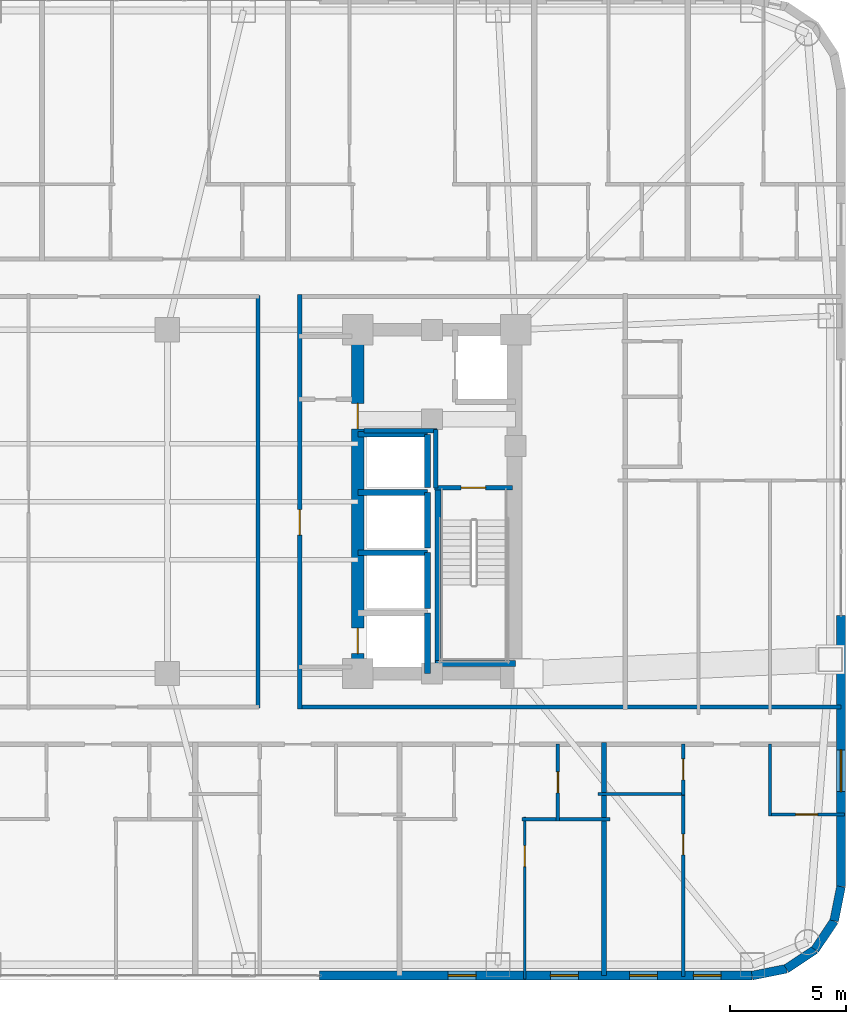
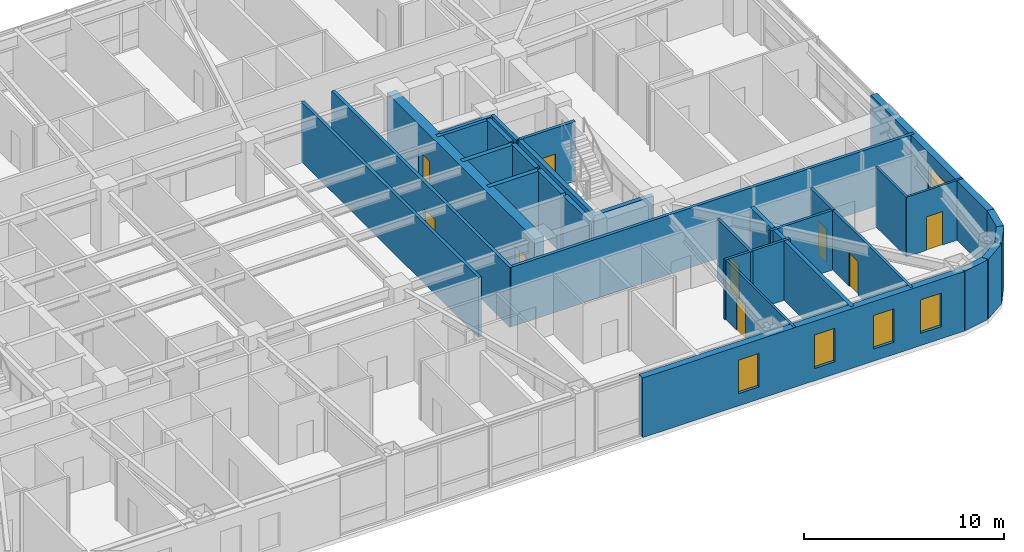
# One storey, part 23 of 28: 31 walls, 9 doors, 5 windows, 14 openings.
"""IFC4 building model written with IfcOpenShell, lengths in metres."""

from ifc_helpers import new_model, si_unit, direction, frame, frame_2d, origin, place, context, subcontext, project, spatial, rectangle, extrude, material, layer, layer_set, type_object, element, fill, save


model = new_model("IFC4")

# Units and contexts
model_context = context("Model", 3, precision=1e-05, world=origin(), true_north=direction((0.0, 1.0)))
body_context = subcontext(model_context, "Body", "Model", "MODEL_VIEW")
ifc_project = project(units=[si_unit("LENGTHUNIT", "METRE"), si_unit("AREAUNIT", "SQUARE_METRE"), si_unit("VOLUMEUNIT", "CUBIC_METRE"), si_unit("PLANEANGLEUNIT", "RADIAN"), si_unit("MASSUNIT", "GRAM", prefix="KILO")], contexts=[model_context])

# Site, building, storey
site_placement = place(None, origin())
site = spatial("IfcSite", under=ifc_project, at=site_placement, CompositionType="ELEMENT")
building_placement = place(site_placement, origin())
building = spatial("IfcBuilding", under=site, at=building_placement, Name="Voryun Gate Residences", CompositionType="ELEMENT")
storey_placement = place(building_placement, frame((0.0, 0.0, 117.0)))
storey = spatial("IfcBuildingStorey", under=building, at=storey_placement, Name="L28", CompositionType="ELEMENT", Elevation=117.0)

# Wall, openings, doors
ifc_material_1 = material(Name="Concrete C60/75", Category="concrete")
ifc_layer_1 = layer(ifc_material_1, 0.550048828125, Name="CW_CORE_550")
ifc_layer_set_1 = layer_set([ifc_layer_1], Name="Concrete C60/75")
wall_type_1 = type_object("IfcWallType", Name="CW_CORE_550", PredefinedType="SHEAR", material=ifc_layer_set_1)
wall_1_placement = place(storey_placement, frame((12.39990234375, -7.39990234375, 0.0), z_axis=(0.0, 0.0, 1.0), x_axis=(0.0, 1.0, 0.0)))
wall_1 = element("IfcWall", 1, at=wall_1_placement, inside=storey, type_object=wall_type_1, Name="L28 Core shear wall CW-L28-EW", PredefinedType="SHEAR", context=body_context, shape_type="SweptSolid", body=[
    extrude(rectangle(XDim=14.7998046875, YDim=0.550048828125, at=frame_2d((7.39990234375, 0.0))), origin(), (0.0, 0.0, 1.0), 3.64990234375),
])
opening_1_placement = place(wall_1_placement, frame((0.85009765625, 0.0, 0.0)))
opening_1 = element("IfcOpeningElement", 2, at=opening_1_placement, cuts=wall_1, Name="Opening LD2", PredefinedType="OPENING", context=body_context, shape_type="SweptSolid", body=[
    extrude(rectangle(XDim=1.10009765625, YDim=2.050048828125, at=frame_2d((0.550048828125, 1.02490234375))), frame((0.0, 0.284912109375, 0.0), z_axis=(0.0, -1.0, 0.0), x_axis=(1.0, 0.0, 0.0)), (0.0, 0.0, 1.0), 0.570068359375),
])
opening_2_placement = place(wall_1_placement, frame((10.530029296875, 0.0, 0.0)))
opening_2 = element("IfcOpeningElement", 3, at=opening_2_placement, cuts=wall_1, Name="Opening D-FD60-2", PredefinedType="OPENING", context=body_context, shape_type="SweptSolid", body=[
    extrude(rectangle(XDim=1.10009765625, YDim=2.050048828125, at=frame_2d((0.550048828125, 1.02490234375))), frame((0.0, 0.284912109375, 0.0), z_axis=(0.0, -1.0, 0.0), x_axis=(1.0, 0.0, 0.0)), (0.0, 0.0, 1.0), 0.570068359375),
])
ifc_material_2 = material(Name="Painted steel fire door", Category="steel")
door_type_1 = type_object("IfcDoorType", Name="DR_FD60_FFLOB_1100", OperationType="NOTDEFINED", PredefinedType="DOOR", material=ifc_material_2)
door_1_placement = place(opening_2_placement, origin())
door_1 = element("IfcDoor", 4, at=door_1_placement, inside=storey, type_object=door_type_1, Name="Door DR-L28-CLOB-E", OperationType="SINGLE_SWING_RIGHT", OverallHeight=2.050048828125, OverallWidth=1.10009765625, PredefinedType="DOOR", context=body_context, shape_type="SweptSolid", body=[
    extrude(rectangle(XDim=1.10009765625, YDim=2.050048828125, at=frame_2d((0.550048828125, 1.02490234375))), frame((0.0, 0.02490234375, 0.0), z_axis=(0.0, -1.0, 0.0), x_axis=(1.0, 0.0, 0.0)), (0.0, 0.0, 1.0), 0.050048828125),
])
fill(opening_2, door_1)
ifc_material_3 = material(Name="Anodised aluminium", Category="aluminium")
door_type_2 = type_object("IfcDoorType", Name="DR_LD_PASS_1100", OperationType="NOTDEFINED", PredefinedType="DOOR", material=ifc_material_3)
door_2_placement = place(opening_1_placement, origin())
door_2 = element("IfcDoor", 5, at=door_2_placement, inside=storey, type_object=door_type_2, Name="Lift EL-P3 sliding landing door L28", OperationType="SLIDING_TO_LEFT", OverallHeight=2.050048828125, OverallWidth=1.10009765625, PredefinedType="DOOR", context=body_context, shape_type="SweptSolid", body=[
    extrude(rectangle(XDim=1.10009765625, YDim=2.050048828125, at=frame_2d((0.550048828125, 1.02490234375))), frame((0.0, 0.02490234375, 0.0), z_axis=(0.0, -1.0, 0.0), x_axis=(1.0, 0.0, 0.0)), (0.0, 0.0, 1.0), 0.050048828125),
])
fill(opening_1, door_2)

# Wall, opening, door
ifc_material_4 = material(Name="Gypsum acoustic fireboard")
ifc_layer_2 = layer(ifc_material_4, 0.179931640625, Name="W_CORR_RATED_180")
ifc_layer_set_2 = layer_set([ifc_layer_2], Name="Gypsum acoustic fireboard")
wall_type_2 = type_object("IfcWallType", Name="W_CORR_RATED_180", PredefinedType="PARTITIONING", material=ifc_layer_set_2)
wall_2_placement = place(storey_placement, frame((15.699951171875, 0.60009765625, 0.0), z_axis=(0.0, 0.0, 1.0), x_axis=(1.0, 0.0, 0.0)))
wall_2 = element("IfcWall", 6, at=wall_2_placement, inside=storey, type_object=wall_type_2, Name="Partition wall WP-L28-STV-E", PredefinedType="PARTITIONING", context=body_context, shape_type="SweptSolid", body=[
    extrude(rectangle(XDim=3.360107421875, YDim=0.179931640625, at=frame_2d((1.68017578125, 0.0))), origin(), (0.0, 0.0, 1.0), 3.64990234375),
])
opening_3_placement = place(wall_2_placement, frame((1.155029296875, 0.0, 0.0)))
opening_3 = element("IfcOpeningElement", 7, at=opening_3_placement, cuts=wall_2, Name="Opening D-FD60-1", PredefinedType="OPENING", context=body_context, shape_type="SweptSolid", body=[
    extrude(rectangle(XDim=1.050048828125, YDim=2.050048828125, at=frame_2d((0.52490234375, 1.02490234375))), frame((0.0, 0.099853515625, 0.0), z_axis=(0.0, -1.0, 0.0), x_axis=(1.0, 0.0, 0.0)), (0.0, 0.0, 1.0), 0.199951171875),
])
ifc_material_5 = material(Name="Painted steel fire door", Category="steel")
door_type_3 = type_object("IfcDoorType", Name="DR_FD60_STAIR_1050", OperationType="NOTDEFINED", PredefinedType="DOOR", material=ifc_material_5)
door_3_placement = place(opening_3_placement, origin())
door_3 = element("IfcDoor", 8, at=door_3_placement, inside=storey, type_object=door_type_3, Name="Door DR-L28-ST-E", OperationType="SINGLE_SWING_RIGHT", OverallHeight=2.050048828125, OverallWidth=1.050048828125, PredefinedType="DOOR", context=body_context, shape_type="SweptSolid", body=[
    extrude(rectangle(XDim=1.050048828125, YDim=2.050048828125, at=frame_2d((0.52490234375, 1.02490234375))), frame((0.0, 0.02490234375, 0.0), z_axis=(0.0, -1.0, 0.0), x_axis=(1.0, 0.0, 0.0)), (0.0, 0.0, 1.0), 0.050048828125),
])
fill(opening_3, door_3)

wall_3_placement = place(storey_placement, frame((9.89990234375, -8.929931640625, 0.0), z_axis=(0.0, 0.0, 1.0), x_axis=(0.0, 1.0, 0.0)))
wall_3 = element("IfcWall", 9, at=wall_3_placement, inside=storey, type_object=wall_type_2, Name="Partition wall WP-L28-PLBE-FULL", PredefinedType="PARTITIONING", context=body_context, shape_type="SweptSolid", body=[
    extrude(rectangle(XDim=17.85986328125, YDim=0.179931640625, at=frame_2d((8.929931640625, 0.0))), origin(), (0.0, 0.0, 1.0), 3.64990234375),
])
opening_4_placement = place(wall_3_placement, frame((7.487060546875, 0.0, 0.0)))
opening_4 = element("IfcOpeningElement", 10, at=opening_4_placement, cuts=wall_3, Name="Opening D-FD60-2", PredefinedType="OPENING", context=body_context, shape_type="SweptSolid", body=[
    extrude(rectangle(XDim=1.10009765625, YDim=2.050048828125, at=frame_2d((0.550048828125, 1.02490234375))), frame((0.0, 0.099853515625, 0.0), z_axis=(0.0, -1.0, 0.0), x_axis=(1.0, 0.0, 0.0)), (0.0, 0.0, 1.0), 0.199951171875),
])
door_4_placement = place(opening_4_placement, origin())
door_4 = element("IfcDoor", 11, at=door_4_placement, inside=storey, type_object=door_type_1, Name="Door DR-L28-PLBE-COR", OperationType="SINGLE_SWING_RIGHT", OverallHeight=2.050048828125, OverallWidth=1.10009765625, PredefinedType="DOOR", context=body_context, shape_type="SweptSolid", body=[
    extrude(rectangle(XDim=1.10009765625, YDim=2.050048828125, at=frame_2d((0.550048828125, 1.02490234375))), frame((0.0, 0.02490234375, 0.0), z_axis=(0.0, -1.0, 0.0), x_axis=(1.0, 0.0, 0.0)), (0.0, 0.0, 1.0), 0.050048828125),
])
fill(opening_4, door_4)

# Walls
wall_4_placement = place(storey_placement, frame((9.8798828125, -8.840087890625, 0.0), z_axis=(0.0, 0.0, 1.0), x_axis=(1.0, 0.0, 0.0)))
element("IfcWall", 12, at=wall_4_placement, inside=storey, type_object=wall_type_2, Name="Partition wall WP-L28-CWING-ES", PredefinedType="PARTITIONING", context=body_context, shape_type="SweptSolid", body=[
    extrude(rectangle(XDim=23.330078125, YDim=0.179931640625, at=frame_2d((11.6650390625, 0.0))), origin(), (0.0, 0.0, 1.0), 3.64990234375),
])
wall_5_placement = place(storey_placement, frame((8.10009765625, -8.8798828125, 0.0), z_axis=(0.0, 0.0, 1.0), x_axis=(0.0, 1.0, 0.0)))
element("IfcWall", 13, at=wall_5_placement, inside=storey, type_object=wall_type_2, Name="Partition wall WP-L28-Z1E", PredefinedType="PARTITIONING", context=body_context, shape_type="SweptSolid", body=[
    extrude(rectangle(XDim=17.759765625, YDim=0.179931640625, at=frame_2d((8.8798828125, 0.0))), origin(), (0.0, 0.0, 1.0), 3.64990234375),
])

# Wall, openings, windows
ifc_material_6 = material(Name="Granite masonry", Category="masonry")
ifc_layer_3 = layer(ifc_material_6, 0.3798828125, Name="W_EXT_GRANITE_380")
ifc_layer_set_3 = layer_set([ifc_layer_3], Name="Granite masonry")
wall_type_3 = type_object("IfcWallType", Name="W_EXT_GRANITE_380", PredefinedType="ELEMENTEDWALL", material=ifc_layer_set_3)
wall_6_placement = place(storey_placement, frame((29.38134765625, -20.409912109375, 0.0), z_axis=(0.0, 0.0, 1.0), x_axis=(-1.0, 0.0, 0.0)))
wall_6 = element("IfcWall", 14, at=wall_6_placement, inside=storey, type_object=wall_type_3, Name="Exterior wall WEXT-L28-01A", PredefinedType="ELEMENTEDWALL", context=body_context, shape_type="SweptSolid", body=[
    extrude(rectangle(XDim=18.619384765625, YDim=0.3798828125, at=frame_2d((9.3095703125, 0.0))), origin(), (0.0, 0.0, 1.0), 3.64990234375),
])
opening_5_placement = place(wall_6_placement, frame((11.88623046875, 0.0, 0.75)))
opening_5 = element("IfcOpeningElement", 15, at=opening_5_placement, cuts=wall_6, Name="Opening WN6", PredefinedType="OPENING", context=body_context, shape_type="SweptSolid", body=[
    extrude(rectangle(XDim=1.199951171875, YDim=2.050048828125, at=frame_2d((0.60009765625, 1.02490234375))), frame((0.0, 0.199951171875, 0.0), z_axis=(0.0, -1.0, 0.0), x_axis=(1.0, 0.0, 0.0)), (0.0, 0.0, 1.0), 0.39990234375),
])
opening_6_placement = place(wall_6_placement, frame((7.486328125, 0.0, 0.75)))
opening_6 = element("IfcOpeningElement", 16, at=opening_6_placement, cuts=wall_6, Name="Opening WN6", PredefinedType="OPENING", context=body_context, shape_type="SweptSolid", body=[
    extrude(rectangle(XDim=1.199951171875, YDim=2.050048828125, at=frame_2d((0.60009765625, 1.02490234375))), frame((0.0, 0.199951171875, 0.0), z_axis=(0.0, -1.0, 0.0), x_axis=(1.0, 0.0, 0.0)), (0.0, 0.0, 1.0), 0.39990234375),
])
opening_7_placement = place(wall_6_placement, frame((4.0751953125, 0.0, 0.75)))
opening_7 = element("IfcOpeningElement", 17, at=opening_7_placement, cuts=wall_6, Name="Opening WN6", PredefinedType="OPENING", context=body_context, shape_type="SweptSolid", body=[
    extrude(rectangle(XDim=1.199951171875, YDim=2.050048828125, at=frame_2d((0.60009765625, 1.02490234375))), frame((0.0, 0.199951171875, 0.0), z_axis=(0.0, -1.0, 0.0), x_axis=(1.0, 0.0, 0.0)), (0.0, 0.0, 1.0), 0.39990234375),
])
opening_8_placement = place(wall_6_placement, frame((1.32958984375, 0.0, 0.75)))
opening_8 = element("IfcOpeningElement", 18, at=opening_8_placement, cuts=wall_6, Name="Opening WN6", PredefinedType="OPENING", context=body_context, shape_type="SweptSolid", body=[
    extrude(rectangle(XDim=1.199951171875, YDim=2.050048828125, at=frame_2d((0.60009765625, 1.02490234375))), frame((0.0, 0.199951171875, 0.0), z_axis=(0.0, -1.0, 0.0), x_axis=(1.0, 0.0, 0.0)), (0.0, 0.0, 1.0), 0.39990234375),
])
ifc_material_7 = material(Name="Laminated low-E glass", Category="glass")
window_type_1 = type_object("IfcWindowType", Name="WN_POD_SLOT_1200", PartitioningType="SINGLE_PANEL", PredefinedType="WINDOW", material=ifc_material_7)
window_1_placement = place(opening_5_placement, origin())
window_1 = element("IfcWindow", 19, at=window_1_placement, inside=storey, type_object=window_type_1, Name="Window WN-L28-DWFIX-15", OverallHeight=2.050048828125, OverallWidth=1.199951171875, PartitioningType="SINGLE_PANEL", PredefinedType="WINDOW", context=body_context, shape_type="SweptSolid", body=[
    extrude(rectangle(XDim=1.199951171875, YDim=2.050048828125, at=frame_2d((0.60009765625, 1.02490234375))), frame((0.0, 0.030029296875, 0.0), z_axis=(0.0, -1.0, 0.0), x_axis=(1.0, 0.0, 0.0)), (0.0, 0.0, 1.0), 0.06005859375),
])
fill(opening_5, window_1)
window_2_placement = place(opening_6_placement, origin())
window_2 = element("IfcWindow", 20, at=window_2_placement, inside=storey, type_object=window_type_1, Name="Window WN-L28-DWFIX-16", OverallHeight=2.050048828125, OverallWidth=1.199951171875, PartitioningType="SINGLE_PANEL", PredefinedType="WINDOW", context=body_context, shape_type="SweptSolid", body=[
    extrude(rectangle(XDim=1.199951171875, YDim=2.050048828125, at=frame_2d((0.60009765625, 1.02490234375))), frame((0.0, 0.030029296875, 0.0), z_axis=(0.0, -1.0, 0.0), x_axis=(1.0, 0.0, 0.0)), (0.0, 0.0, 1.0), 0.06005859375),
])
fill(opening_6, window_2)
window_3_placement = place(opening_7_placement, origin())
window_3 = element("IfcWindow", 21, at=window_3_placement, inside=storey, type_object=window_type_1, Name="Window WN-L28-DWFIX-17", OverallHeight=2.050048828125, OverallWidth=1.199951171875, PartitioningType="SINGLE_PANEL", PredefinedType="WINDOW", context=body_context, shape_type="SweptSolid", body=[
    extrude(rectangle(XDim=1.199951171875, YDim=2.050048828125, at=frame_2d((0.60009765625, 1.02490234375))), frame((0.0, 0.030029296875, 0.0), z_axis=(0.0, -1.0, 0.0), x_axis=(1.0, 0.0, 0.0)), (0.0, 0.0, 1.0), 0.06005859375),
])
fill(opening_7, window_3)
window_4_placement = place(opening_8_placement, origin())
window_4 = element("IfcWindow", 22, at=window_4_placement, inside=storey, type_object=window_type_1, Name="Window WN-L28-DWFIX-18", OverallHeight=2.050048828125, OverallWidth=1.199951171875, PartitioningType="SINGLE_PANEL", PredefinedType="WINDOW", context=body_context, shape_type="SweptSolid", body=[
    extrude(rectangle(XDim=1.199951171875, YDim=2.050048828125, at=frame_2d((0.60009765625, 1.02490234375))), frame((0.0, 0.030029296875, 0.0), z_axis=(0.0, -1.0, 0.0), x_axis=(1.0, 0.0, 0.0)), (0.0, 0.0, 1.0), 0.06005859375),
])
fill(opening_8, window_4)

# Wall, opening, window
wall_7_placement = place(storey_placement, frame((33.2099609375, -4.89794921875, 0.0), z_axis=(0.0, 0.0, 1.0), x_axis=(0.0, -1.0, 0.0)))
wall_7 = element("IfcWall", 23, at=wall_7_placement, inside=storey, type_object=wall_type_3, Name="Exterior wall WEXT-L28-16B", PredefinedType="ELEMENTEDWALL", context=body_context, shape_type="SweptSolid", body=[
    extrude(rectangle(XDim=11.683349609375, YDim=0.3798828125, at=frame_2d((5.841796875, 0.0))), origin(), (0.0, 0.0, 1.0), 3.64990234375),
])
opening_9_placement = place(wall_7_placement, frame((5.79150390625, 0.0, 0.75)))
opening_9 = element("IfcOpeningElement", 24, at=opening_9_placement, cuts=wall_7, Name="Opening WN1", PredefinedType="OPENING", context=body_context, shape_type="SweptSolid", body=[
    extrude(rectangle(XDim=1.800048828125, YDim=2.10009765625, at=frame_2d((0.89990234375, 1.050048828125))), frame((0.0, 0.199951171875, 0.0), z_axis=(0.0, -1.0, 0.0), x_axis=(1.0, 0.0, 0.0)), (0.0, 0.0, 1.0), 0.39990234375),
])
ifc_material_8 = material(Name="Laminated low-E glass", Category="glass")
window_type_2 = type_object("IfcWindowType", Name="WN_RES_PUNCH_1800", PartitioningType="SINGLE_PANEL", PredefinedType="WINDOW", material=ifc_material_8)
window_5_placement = place(opening_9_placement, origin())
window_5 = element("IfcWindow", 25, at=window_5_placement, inside=storey, type_object=window_type_2, Name="Window WN-WEXT-L28-16B-01", OverallHeight=2.10009765625, OverallWidth=1.800048828125, PartitioningType="SINGLE_PANEL", PredefinedType="WINDOW", context=body_context, shape_type="SweptSolid", body=[
    extrude(rectangle(XDim=1.800048828125, YDim=2.10009765625, at=frame_2d((0.89990234375, 1.050048828125))), frame((0.0, 0.030029296875, 0.0), z_axis=(0.0, -1.0, 0.0), x_axis=(1.0, 0.0, 0.0)), (0.0, 0.0, 1.0), 0.06005859375),
])
fill(opening_9, window_5)

# Walls
wall_8_placement = place(storey_placement, frame((33.2099609375, -16.581298828125, 0.0), z_axis=(0.0, 0.0, 1.0), x_axis=(-0.195086038585, -0.980786132421, 0.0)))
element("IfcWall", 26, at=wall_8_placement, inside=storey, type_object=wall_type_3, Name="Exterior wall WEXT-L28-17", PredefinedType="ELEMENTEDWALL", context=body_context, shape_type="SweptSolid", body=[
    extrude(rectangle(XDim=1.504150390625, YDim=0.3798828125, at=frame_2d((0.751953125, 0.0))), origin(), (0.0, 0.0, 1.0), 3.64990234375),
])
wall_9_placement = place(storey_placement, frame((32.91650390625, -18.056640625, 0.0), z_axis=(0.0, 0.0, 1.0), x_axis=(-0.555610286119, -0.831442848281, 0.0)))
element("IfcWall", 27, at=wall_9_placement, inside=storey, type_object=wall_type_3, Name="Exterior wall WEXT-L28-18", PredefinedType="ELEMENTEDWALL", context=body_context, shape_type="SweptSolid", body=[
    extrude(rectangle(XDim=1.485107421875, YDim=0.3798828125, at=frame_2d((0.74267578125, 0.0))), origin(), (0.0, 0.0, 1.0), 3.64990234375),
])
wall_10_placement = place(storey_placement, frame((32.09130859375, -19.29150390625, 0.0), z_axis=(0.0, 0.0, 1.0), x_axis=(-0.831468045563, -0.555572577804, 0.0)))
element("IfcWall", 28, at=wall_10_placement, inside=storey, type_object=wall_type_3, Name="Exterior wall WEXT-L28-19", PredefinedType="ELEMENTEDWALL", context=body_context, shape_type="SweptSolid", body=[
    extrude(rectangle(XDim=1.48486328125, YDim=0.3798828125, at=frame_2d((0.742431640625, 0.0))), origin(), (0.0, 0.0, 1.0), 3.64990234375),
])
wall_11_placement = place(storey_placement, frame((30.856689453125, -20.116455078125, 0.0), z_axis=(0.0, 0.0, 1.0), x_axis=(-0.980786132421, -0.195086038585, 0.0)))
element("IfcWall", 29, at=wall_11_placement, inside=storey, type_object=wall_type_3, Name="Exterior wall WEXT-L28-20", PredefinedType="ELEMENTEDWALL", context=body_context, shape_type="SweptSolid", body=[
    extrude(rectangle(XDim=1.504150390625, YDim=0.3798828125, at=frame_2d((0.751953125, 0.0))), origin(), (0.0, 0.0, 1.0), 3.64990234375),
])
ifc_material_9 = material(Name="Concrete C40/50", Category="concrete")
ifc_layer_4 = layer(ifc_material_9, 0.199951171875, Name="W_FF_LOBBY_200")
ifc_layer_set_4 = layer_set([ifc_layer_4], Name="Concrete C40/50")
wall_type_4 = type_object("IfcWallType", Name="W_FF_LOBBY_200", PredefinedType="PARTITIONING", material=ifc_layer_set_4)
wall_12_placement = place(storey_placement, frame((15.760009765625, 0.580078125, 0.0), z_axis=(0.0, 0.0, 1.0), x_axis=(0.0, 1.0, 0.0)))
element("IfcWall", 30, at=wall_12_placement, inside=storey, type_object=wall_type_4, Name="Partition wall WP-L28-FFP0-E", PredefinedType="PARTITIONING", context=body_context, shape_type="SweptSolid", body=[
    extrude(rectangle(XDim=2.52001953125, YDim=0.199951171875, at=frame_2d((1.260009765625, 0.0))), origin(), (0.0, 0.0, 1.0), 3.64990234375),
])
wall_13_placement = place(storey_placement, frame((12.659912109375, 3.06005859375, 0.0), z_axis=(0.0, 0.0, 1.0), x_axis=(1.0, 0.0, 0.0)))
element("IfcWall", 31, at=wall_13_placement, inside=storey, type_object=wall_type_4, Name="Partition wall WP-L28-FFPS-E", PredefinedType="PARTITIONING", context=body_context, shape_type="SweptSolid", body=[
    extrude(rectangle(XDim=3.16015625, YDim=0.199951171875, at=frame_2d((1.580078125, 0.0))), origin(), (0.0, 0.0, 1.0), 3.64990234375),
])
ifc_material_10 = material(Name="Concrete C40/50", Category="concrete")
ifc_layer_5 = layer(ifc_material_10, 0.219970703125, Name="W_PARTY_ACOUSTIC_220")
ifc_layer_set_5 = layer_set([ifc_layer_5], Name="Concrete C40/50")
wall_type_5 = type_object("IfcWallType", Name="W_PARTY_ACOUSTIC_220", PredefinedType="PARTITIONING", material=ifc_layer_set_5)
wall_14_placement = place(storey_placement, frame((23.0, -20.409912109375, 0.0), z_axis=(0.0, 0.0, 1.0), x_axis=(0.0, 1.0, 0.0)))
element("IfcWall", 32, at=wall_14_placement, inside=storey, type_object=wall_type_5, Name="Partition wall WP-L28-SPTY-6", PredefinedType="PARTITIONING", context=body_context, shape_type="SweptSolid", body=[
    extrude(rectangle(XDim=10.039794921875, YDim=0.219970703125, at=frame_2d((5.02001953125, 0.0))), origin(), (0.0, 0.0, 1.0), 3.64990234375),
])
ifc_material_11 = material(Name="Concrete C50/60", Category="concrete")
ifc_layer_6 = layer(ifc_material_11, 0.25, Name="W_SHAFT_RC250")
ifc_layer_set_6 = layer_set([ifc_layer_6], Name="Concrete C50/60")
wall_type_6 = type_object("IfcWallType", Name="W_SHAFT_RC250", PredefinedType="SOLIDWALL", material=ifc_layer_set_6)
wall_15_placement = place(storey_placement, frame((15.860107421875, -7.0849609375, 0.0), z_axis=(0.0, 0.0, 1.0), x_axis=(0.0, 1.0, 0.0)))
element("IfcWall", 33, at=wall_15_placement, inside=storey, type_object=wall_type_6, Name="L28 Stair shaft structural wall E-STL", PredefinedType="SOLIDWALL", context=body_context, shape_type="SweptSolid", body=[
    extrude(rectangle(XDim=7.68505859375, YDim=0.25, at=frame_2d((3.842529296875, 0.0))), origin(), (0.0, 0.0, 1.0), 3.64990234375),
])
wall_16_placement = place(storey_placement, frame((15.739990234375, -6.965087890625, 0.0), z_axis=(0.0, 0.0, 1.0), x_axis=(1.0, 0.0, 0.0)))
element("IfcWall", 34, at=wall_16_placement, inside=storey, type_object=wall_type_6, Name="L28 Stair shaft structural wall E-STS", PredefinedType="SOLIDWALL", context=body_context, shape_type="SweptSolid", body=[
    extrude(rectangle(XDim=3.4599609375, YDim=0.25, at=frame_2d((1.72998046875, 0.0))), origin(), (0.0, 0.0, 1.0), 3.64990234375),
])
wall_17_placement = place(storey_placement, frame((15.39990234375, -7.39990234375, 0.0), z_axis=(0.0, 0.0, 1.0), x_axis=(0.0, 1.0, 0.0)))
element("IfcWall", 35, at=wall_17_placement, inside=storey, type_object=wall_type_6, Name="Lift shaft wall WSH-L28-EL-P3-E", PredefinedType="SOLIDWALL", context=body_context, shape_type="SweptSolid", body=[
    extrude(rectangle(XDim=2.599853515625, YDim=0.25, at=frame_2d((1.2998046875, 0.0))), origin(), (0.0, 0.0, 1.0), 3.64990234375),
])
wall_18_placement = place(storey_placement, frame((15.39990234375, -4.60009765625, 0.0), z_axis=(0.0, 0.0, 1.0), x_axis=(0.0, 1.0, 0.0)))
element("IfcWall", 36, at=wall_18_placement, inside=storey, type_object=wall_type_6, Name="Lift shaft wall WSH-L28-EL-P5-E", PredefinedType="SOLIDWALL", context=body_context, shape_type="SweptSolid", body=[
    extrude(rectangle(XDim=2.400146484375, YDim=0.25, at=frame_2d((1.2001953125, 0.0))), origin(), (0.0, 0.0, 1.0), 3.64990234375),
])
wall_19_placement = place(storey_placement, frame((15.39990234375, -2.199951171875, 0.0), z_axis=(0.0, 0.0, 1.0), x_axis=(-1.0, 0.0, 0.0)))
element("IfcWall", 37, at=wall_19_placement, inside=storey, type_object=wall_type_6, Name="Lift shaft wall WSH-L28-EL-P5-N", PredefinedType="SOLIDWALL", context=body_context, shape_type="SweptSolid", body=[
    extrude(rectangle(XDim=3.0, YDim=0.25, at=frame_2d((1.5, 0.0))), origin(), (0.0, 0.0, 1.0), 3.64990234375),
])
wall_20_placement = place(storey_placement, frame((15.39990234375, -2.0, 0.0), z_axis=(0.0, 0.0, 1.0), x_axis=(0.0, 1.0, 0.0)))
element("IfcWall", 38, at=wall_20_placement, inside=storey, type_object=wall_type_6, Name="Lift shaft wall WSH-L28-EL-P6-E", PredefinedType="SOLIDWALL", context=body_context, shape_type="SweptSolid", body=[
    extrude(rectangle(XDim=2.39990234375, YDim=0.25, at=frame_2d((1.199951171875, 0.0))), origin(), (0.0, 0.0, 1.0), 3.64990234375),
])
wall_21_placement = place(storey_placement, frame((15.39990234375, 0.39990234375, 0.0), z_axis=(0.0, 0.0, 1.0), x_axis=(-1.0, 0.0, 0.0)))
element("IfcWall", 39, at=wall_21_placement, inside=storey, type_object=wall_type_6, Name="Lift shaft wall WSH-L28-EL-P6-N", PredefinedType="SOLIDWALL", context=body_context, shape_type="SweptSolid", body=[
    extrude(rectangle(XDim=3.0, YDim=0.25, at=frame_2d((1.5, 0.0))), origin(), (0.0, 0.0, 1.0), 3.64990234375),
])
wall_22_placement = place(storey_placement, frame((15.39990234375, 0.60009765625, 0.0), z_axis=(0.0, 0.0, 1.0), x_axis=(0.0, 1.0, 0.0)))
element("IfcWall", 40, at=wall_22_placement, inside=storey, type_object=wall_type_6, Name="Lift shaft wall WSH-L28-EL-P8-E", PredefinedType="SOLIDWALL", context=body_context, shape_type="SweptSolid", body=[
    extrude(rectangle(XDim=2.2998046875, YDim=0.25, at=frame_2d((1.14990234375, 0.0))), origin(), (0.0, 0.0, 1.0), 3.64990234375),
])
wall_23_placement = place(storey_placement, frame((15.39990234375, 2.89990234375, 0.0), z_axis=(0.0, 0.0, 1.0), x_axis=(-1.0, 0.0, 0.0)))
element("IfcWall", 41, at=wall_23_placement, inside=storey, type_object=wall_type_6, Name="Lift shaft wall WSH-L28-EL-P8-N", PredefinedType="SOLIDWALL", context=body_context, shape_type="SweptSolid", body=[
    extrude(rectangle(XDim=3.0, YDim=0.25, at=frame_2d((1.5, 0.0))), origin(), (0.0, 0.0, 1.0), 3.64990234375),
])

# Wall, opening, door
ifc_material_12 = material(Name="Gypsum acoustic partition")
ifc_layer_7 = layer(ifc_material_12, 0.125, Name="W_UNIT_PART_125")
ifc_layer_set_7 = layer_set([ifc_layer_7], Name="Gypsum acoustic partition")
wall_type_7 = type_object("IfcWallType", Name="W_UNIT_PART_125", PredefinedType="PARTITIONING", material=ifc_layer_set_7)
wall_24_placement = place(storey_placement, frame((19.590087890625, -20.56005859375, 0.0), z_axis=(0.0, 0.0, 1.0), x_axis=(0.0, 1.0, 0.0)))
wall_24 = element("IfcWall", 42, at=wall_24_placement, inside=storey, type_object=wall_type_7, Name="Partition wall WP-L28-S6-OVR", PredefinedType="PARTITIONING", context=body_context, shape_type="SweptSolid", body=[
    extrude(rectangle(XDim=6.969970703125, YDim=0.125, at=frame_2d((3.48486328125, 0.0))), origin(), (0.0, 0.0, 1.0), 3.64990234375),
])
opening_10_placement = place(wall_24_placement, frame((4.84716796875, 0.0, 0.0)))
opening_10 = element("IfcOpeningElement", 43, at=opening_10_placement, cuts=wall_24, Name="Opening D-INT-2", PredefinedType="OPENING", context=body_context, shape_type="SweptSolid", body=[
    extrude(rectangle(XDim=0.89990234375, YDim=2.050048828125, at=frame_2d((0.449951171875, 1.02490234375))), frame((0.0, 0.072509765625, 0.0), z_axis=(0.0, -1.0, 0.0), x_axis=(1.0, 0.0, 0.0)), (0.0, 0.0, 1.0), 0.14501953125),
])
ifc_material_13 = material(Name="Architectural oak veneer")
door_type_4 = type_object("IfcDoorType", Name="DR_INT_BATH_900", OperationType="NOTDEFINED", PredefinedType="DOOR", material=ifc_material_13)
door_5_placement = place(opening_10_placement, origin())
door_5 = element("IfcDoor", 44, at=door_5_placement, inside=storey, type_object=door_type_4, Name="Door DR-L28-S6-DMB", OperationType="SINGLE_SWING_RIGHT", OverallHeight=2.050048828125, OverallWidth=0.89990234375, PredefinedType="DOOR", context=body_context, shape_type="SweptSolid", body=[
    extrude(rectangle(XDim=0.89990234375, YDim=2.050048828125, at=frame_2d((0.449951171875, 1.02490234375))), frame((0.0, 0.02490234375, 0.0), z_axis=(0.0, -1.0, 0.0), x_axis=(1.0, 0.0, 0.0)), (0.0, 0.0, 1.0), 0.050048828125),
])
fill(opening_10, door_5)

wall_25_placement = place(storey_placement, frame((30.094970703125, -13.469970703125, 0.0), z_axis=(0.0, 0.0, 1.0), x_axis=(1.0, 0.0, 0.0)))
wall_25 = element("IfcWall", 45, at=wall_25_placement, inside=storey, type_object=wall_type_7, Name="Partition wall WP-L28-S7-KHY", PredefinedType="PARTITIONING", context=body_context, shape_type="SweptSolid", body=[
    extrude(rectangle(XDim=3.26513671875, YDim=0.125, at=frame_2d((1.632568359375, 0.0))), origin(), (0.0, 0.0, 1.0), 3.64990234375),
])
opening_11_placement = place(wall_25_placement, frame((1.157470703125, 0.0, 0.0)))
opening_11 = element("IfcOpeningElement", 46, at=opening_11_placement, cuts=wall_25, Name="Opening D-INT-1", PredefinedType="OPENING", context=body_context, shape_type="SweptSolid", body=[
    extrude(rectangle(XDim=0.949951171875, YDim=2.050048828125, at=frame_2d((0.47509765625, 1.02490234375))), frame((0.0, 0.072509765625, 0.0), z_axis=(0.0, -1.0, 0.0), x_axis=(1.0, 0.0, 0.0)), (0.0, 0.0, 1.0), 0.14501953125),
])
ifc_material_14 = material(Name="Architectural oak veneer")
door_type_5 = type_object("IfcDoorType", Name="DR_INT_ROOM_950", OperationType="NOTDEFINED", PredefinedType="DOOR", material=ifc_material_14)
door_6_placement = place(opening_11_placement, origin())
door_6 = element("IfcDoor", 47, at=door_6_placement, inside=storey, type_object=door_type_5, Name="Door DR-L28-S7-DK", OperationType="SINGLE_SWING_LEFT", OverallHeight=2.050048828125, OverallWidth=0.949951171875, PredefinedType="DOOR", context=body_context, shape_type="SweptSolid", body=[
    extrude(rectangle(XDim=0.949951171875, YDim=2.050048828125, at=frame_2d((0.47509765625, 1.02490234375))), frame((0.0, 0.02490234375, 0.0), z_axis=(0.0, -1.0, 0.0), x_axis=(1.0, 0.0, 0.0)), (0.0, 0.0, 1.0), 0.050048828125),
])
fill(opening_11, door_6)

# Walls
wall_26_placement = place(storey_placement, frame((30.155029296875, -13.530029296875, 0.0), z_axis=(0.0, 0.0, 1.0), x_axis=(0.0, 1.0, 0.0)))
element("IfcWall", 48, at=wall_26_placement, inside=storey, type_object=wall_type_7, Name="Partition wall WP-L28-S7-KVX", PredefinedType="PARTITIONING", context=body_context, shape_type="SweptSolid", body=[
    extrude(rectangle(XDim=3.10009765625, YDim=0.125, at=frame_2d((1.550048828125, 0.0))), origin(), (0.0, 0.0, 1.0), 3.64990234375),
])
ifc_material_15 = material(Name="Gypsum moisture-resistant partition")
ifc_layer_8 = layer(ifc_material_15, 0.14990234375, Name="W_WET_PLUMB_150")
ifc_layer_set_8 = layer_set([ifc_layer_8], Name="Gypsum moisture-resistant partition")
wall_type_8 = type_object("IfcWallType", Name="W_WET_PLUMB_150", PredefinedType="PLUMBINGWALL", material=ifc_layer_set_8)
wall_27_placement = place(storey_placement, frame((19.469970703125, -13.669921875, 0.0), z_axis=(0.0, 0.0, 1.0), x_axis=(1.0, 0.0, 0.0)))
element("IfcWall", 49, at=wall_27_placement, inside=storey, type_object=wall_type_8, Name="Partition wall WP-L28-S6-HZB", PredefinedType="PLUMBINGWALL", context=body_context, shape_type="SweptSolid", body=[
    extrude(rectangle(XDim=3.7900390625, YDim=0.14990234375, at=frame_2d((1.89501953125, 0.0))), origin(), (0.0, 0.0, 1.0), 3.64990234375),
])

# Wall, opening, door
wall_28_placement = place(storey_placement, frame((21.02001953125, -13.75, 0.0), z_axis=(0.0, 0.0, 1.0), x_axis=(0.0, 1.0, 0.0)))
wall_28 = element("IfcWall", 50, at=wall_28_placement, inside=storey, type_object=wall_type_8, Name="Partition wall WP-L28-S6-IVB", PredefinedType="PLUMBINGWALL", context=body_context, shape_type="SweptSolid", body=[
    extrude(rectangle(XDim=3.320068359375, YDim=0.14990234375, at=frame_2d((1.66015625, 0.0))), origin(), (0.0, 0.0, 1.0), 3.64990234375),
])
opening_12_placement = place(wall_28_placement, frame((1.2099609375, 0.0, 0.0)))
opening_12 = element("IfcOpeningElement", 51, at=opening_12_placement, cuts=wall_28, Name="Opening D-INT-2", PredefinedType="OPENING", context=body_context, shape_type="SweptSolid", body=[
    extrude(rectangle(XDim=0.89990234375, YDim=2.050048828125, at=frame_2d((0.449951171875, 1.02490234375))), frame((0.0, 0.0849609375, 0.0), z_axis=(0.0, -1.0, 0.0), x_axis=(1.0, 0.0, 0.0)), (0.0, 0.0, 1.0), 0.169921875),
])
door_7_placement = place(opening_12_placement, origin())
door_7 = element("IfcDoor", 52, at=door_7_placement, inside=storey, type_object=door_type_4, Name="Door DR-L28-S6-DB", OperationType="SINGLE_SWING_RIGHT", OverallHeight=2.050048828125, OverallWidth=0.89990234375, PredefinedType="DOOR", context=body_context, shape_type="SweptSolid", body=[
    extrude(rectangle(XDim=0.89990234375, YDim=2.050048828125, at=frame_2d((0.449951171875, 1.02490234375))), frame((0.0, 0.02490234375, 0.0), z_axis=(0.0, -1.0, 0.0), x_axis=(1.0, 0.0, 0.0)), (0.0, 0.0, 1.0), 0.050048828125),
])
fill(opening_12, door_7)

# Wall
wall_29_placement = place(storey_placement, frame((22.739990234375, -12.590087890625, 0.0), z_axis=(0.0, 0.0, 1.0), x_axis=(1.0, 0.0, 0.0)))
element("IfcWall", 53, at=wall_29_placement, inside=storey, type_object=wall_type_8, Name="Partition wall WP-L28-S7-LHY", PredefinedType="PLUMBINGWALL", context=body_context, shape_type="SweptSolid", body=[
    extrude(rectangle(XDim=3.751953125, YDim=0.14990234375, at=frame_2d((1.8759765625, 0.0))), origin(), (0.0, 0.0, 1.0), 3.64990234375),
])

# Wall, opening, door
wall_30_placement = place(storey_placement, frame((26.412109375, -20.45751953125, 0.0), z_axis=(0.0, 0.0, 1.0), x_axis=(0.0, 1.0, 0.0)))
wall_30 = element("IfcWall", 54, at=wall_30_placement, inside=storey, type_object=wall_type_8, Name="Partition wall WP-L28-S7-LVX1", PredefinedType="PLUMBINGWALL", context=body_context, shape_type="SweptSolid", body=[
    extrude(rectangle(XDim=7.907470703125, YDim=0.14990234375, at=frame_2d((3.95361328125, 0.0))), origin(), (0.0, 0.0, 1.0), 3.64990234375),
])
opening_13_placement = place(wall_30_placement, frame((5.243408203125, 0.0, 0.0)))
opening_13 = element("IfcOpeningElement", 55, at=opening_13_placement, cuts=wall_30, Name="Opening D-INT-2", PredefinedType="OPENING", context=body_context, shape_type="SweptSolid", body=[
    extrude(rectangle(XDim=0.89990234375, YDim=2.050048828125, at=frame_2d((0.449951171875, 1.02490234375))), frame((0.0, 0.0849609375, 0.0), z_axis=(0.0, -1.0, 0.0), x_axis=(1.0, 0.0, 0.0)), (0.0, 0.0, 1.0), 0.169921875),
])
door_8_placement = place(opening_13_placement, origin())
door_8 = element("IfcDoor", 56, at=door_8_placement, inside=storey, type_object=door_type_4, Name="Door DR-L28-S7-DMB", OperationType="SINGLE_SWING_LEFT", OverallHeight=2.050048828125, OverallWidth=0.89990234375, PredefinedType="DOOR", context=body_context, shape_type="SweptSolid", body=[
    extrude(rectangle(XDim=0.89990234375, YDim=2.050048828125, at=frame_2d((0.449951171875, 1.02490234375))), frame((0.0, 0.02490234375, 0.0), z_axis=(0.0, -1.0, 0.0), x_axis=(1.0, 0.0, 0.0)), (0.0, 0.0, 1.0), 0.050048828125),
])
fill(opening_13, door_8)

wall_31_placement = place(storey_placement, frame((26.412109375, -12.6298828125, 0.0), z_axis=(0.0, 0.0, 1.0), x_axis=(0.0, 1.0, 0.0)))
wall_31 = element("IfcWall", 57, at=wall_31_placement, inside=storey, type_object=wall_type_8, Name="Partition wall WP-L28-S7-LVX2", PredefinedType="PLUMBINGWALL", context=body_context, shape_type="SweptSolid", body=[
    extrude(rectangle(XDim=2.199951171875, YDim=0.14990234375, at=frame_2d((1.10009765625, 0.0))), origin(), (0.0, 0.0, 1.0), 3.64990234375),
])
opening_14_placement = place(wall_31_placement, frame((0.64990234375, 0.0, 0.0)))
opening_14 = element("IfcOpeningElement", 58, at=opening_14_placement, cuts=wall_31, Name="Opening D-INT-2", PredefinedType="OPENING", context=body_context, shape_type="SweptSolid", body=[
    extrude(rectangle(XDim=0.89990234375, YDim=2.050048828125, at=frame_2d((0.449951171875, 1.02490234375))), frame((0.0, 0.0849609375, 0.0), z_axis=(0.0, -1.0, 0.0), x_axis=(1.0, 0.0, 0.0)), (0.0, 0.0, 1.0), 0.169921875),
])
door_9_placement = place(opening_14_placement, origin())
door_9 = element("IfcDoor", 59, at=door_9_placement, inside=storey, type_object=door_type_4, Name="Door DR-L28-S7-DB", OperationType="SINGLE_SWING_RIGHT", OverallHeight=2.050048828125, OverallWidth=0.89990234375, PredefinedType="DOOR", context=body_context, shape_type="SweptSolid", body=[
    extrude(rectangle(XDim=0.89990234375, YDim=2.050048828125, at=frame_2d((0.449951171875, 1.02490234375))), frame((0.0, 0.02490234375, 0.0), z_axis=(0.0, -1.0, 0.0), x_axis=(1.0, 0.0, 0.0)), (0.0, 0.0, 1.0), 0.050048828125),
])
fill(opening_14, door_9)

save(model, "model.ifc")
